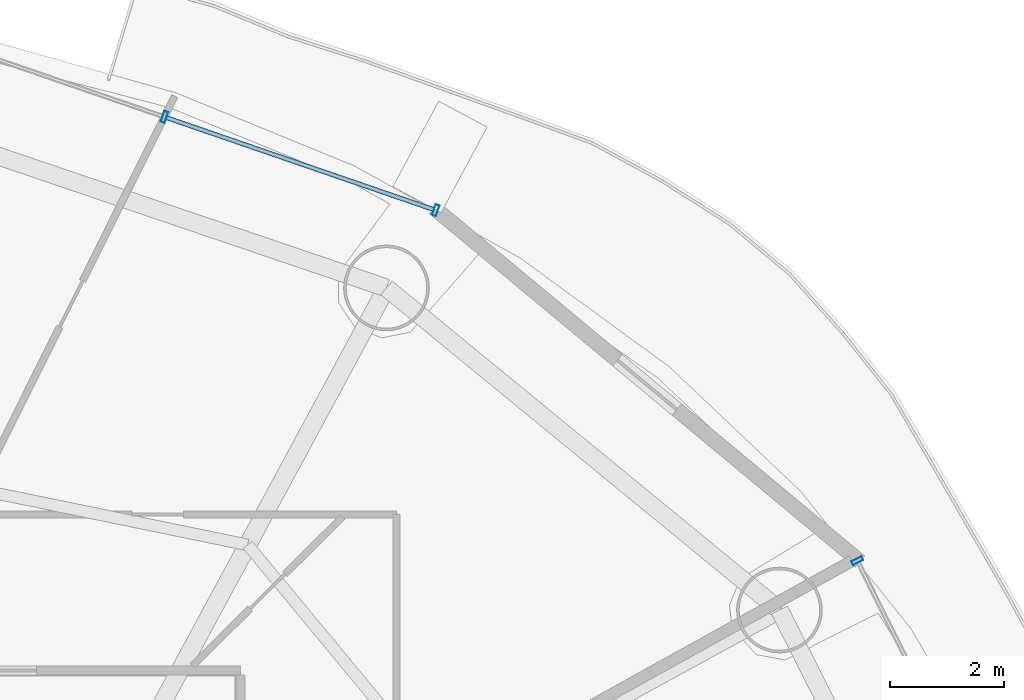
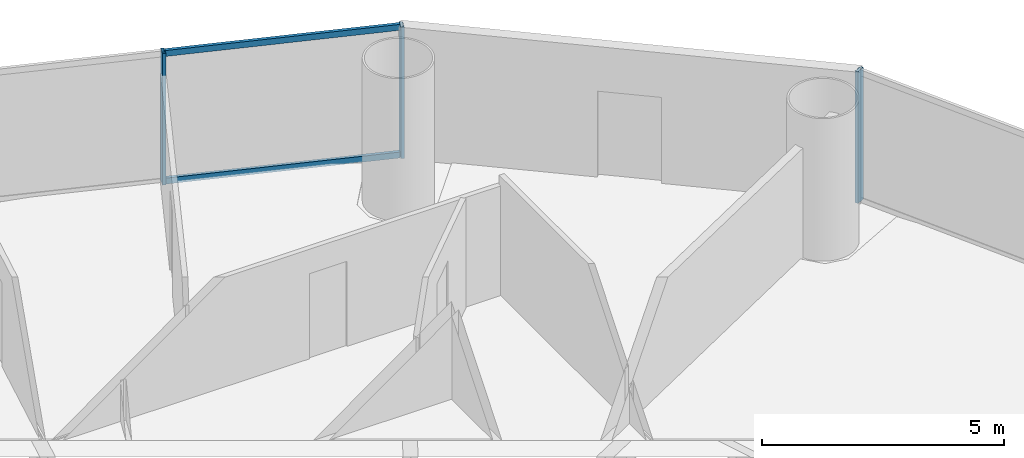
# One storey, part 20 of 29: 5 members, 2 elements without a shape of their own.
"""IFC4 building model written with IfcOpenShell, lengths in metres."""

from ifc_helpers import new_model, si_unit, direction, frame, origin, origin_2d, place, context, subcontext, project, spatial, hollow_rectangle, extrude, source, transform, mapped, material, material_profile, profile_set, type_object, element, aggregate, save


model = new_model("IFC4")

# Units and contexts
model_context = context("Model", 3, precision=1e-05, world=origin(), true_north=direction((-0.2419218956, 0.970295726276)))
body_context = subcontext(model_context, "Body", "Model", "MODEL_VIEW")
ifc_project = project(units=[si_unit("LENGTHUNIT", "METRE"), si_unit("AREAUNIT", "SQUARE_METRE"), si_unit("VOLUMEUNIT", "CUBIC_METRE"), si_unit("PLANEANGLEUNIT", "RADIAN"), si_unit("MASSUNIT", "GRAM", prefix="KILO")], contexts=[model_context])

# Site, building, storey
site_placement = place(None, origin())
site = spatial("IfcSite", under=ifc_project, at=site_placement, CompositionType="ELEMENT")
building_placement = place(site_placement, origin())
building = spatial("IfcBuilding", under=site, at=building_placement, Name="Cobrevalo Terracotta Tower", CompositionType="ELEMENT")
storey_placement = place(building_placement, frame((0.0, 0.0, 94.199951171875)))
storey = spatial("IfcBuildingStorey", under=building, at=storey_placement, Name="L24", CompositionType="ELEMENT", Elevation=94.199951171875)

# Curtain wall, member
ifc_material = material(Name="Anodized aluminium", Category="aluminium")
curtain_wall_type = type_object("IfcCurtainWallType", Name="Lower-tower unitised acoustic low-E curtain wall CW-U1", PredefinedType="NOTDEFINED", material=ifc_material)
curtain_wall_1_placement = place(storey_placement, origin())
curtain_wall_1 = element("IfcCurtainWall", 1, at=curtain_wall_1_placement, inside=storey, type_object=curtain_wall_type, Name="L24 curtain wall CW-L24-S01", PredefinedType="NOTDEFINED")
ifc_material_profile_1 = material_profile(ifc_material, hollow_rectangle(XDim=0.074951171875, YDim=0.199951171875, WallThickness=0.0048828125, at=origin_2d()), Name="CWM 75x200")
ifc_profile_set_1 = profile_set([ifc_material_profile_1], Name="Anodized aluminium")
member_type_1 = type_object("IfcMemberType", Name="Lower/mid tower unitised mullion 75x200", PredefinedType="MULLION", material=ifc_profile_set_1)
shared_shape_1 = source(origin(), body_context, "Body", "SweptSolid", [
    extrude(hollow_rectangle(XDim=0.074951171875, YDim=0.199951171875, WallThickness=0.0048828125, at=origin_2d()), origin(), (0.0, 0.0, 1.0), 3.324951171875),
])
member_1_placement = place(storey_placement, frame((60.110107421875, 39.025634765625, 0.0), z_axis=(0.0, 0.0, 1.0), x_axis=(-0.446260290227, 0.894903208937, 0.0)))
member_1 = element("IfcMember", 2, at=member_1_placement, type_object=member_type_1, Name="CW-L24-S01 vertical mullion 03", PredefinedType="MULLION", context=body_context, shape_type="MappedRepresentation", body=[
    mapped(shared_shape_1, transform((0.0, 0.0, 0.0), scale=1.0)),
])
aggregate(curtain_wall_1, [member_1])

# Curtain wall, members
curtain_wall_2_placement = place(storey_placement, origin())
curtain_wall_2 = element("IfcCurtainWall", 3, at=curtain_wall_2_placement, inside=storey, type_object=curtain_wall_type, Name="L24 curtain wall CW-L24-S03", PredefinedType="NOTDEFINED")
member_2_placement = place(storey_placement, frame((52.7236328125, 45.16357421875, 0.0), z_axis=(0.0, 0.0, 1.0), x_axis=(-0.94559809868, 0.325337110968, 0.0)))
member_2 = element("IfcMember", 4, at=member_2_placement, type_object=member_type_1, Name="CW-L24-S03 vertical mullion 01", PredefinedType="MULLION", context=body_context, shape_type="MappedRepresentation", body=[
    mapped(shared_shape_1, transform((0.0, 0.0, 0.0), scale=1.0)),
])
member_3_placement = place(storey_placement, frame((47.972412109375, 46.79833984375, 0.0), z_axis=(0.0, 0.0, 1.0), x_axis=(-0.94559809868, 0.325337110968, 0.0)))
member_3 = element("IfcMember", 5, at=member_3_placement, type_object=member_type_1, Name="CW-L24-S03 vertical mullion 02", PredefinedType="MULLION", context=body_context, shape_type="MappedRepresentation", body=[
    mapped(shared_shape_1, transform((0.0, 0.0, 0.0), scale=1.0)),
])
ifc_material_profile_2 = material_profile(ifc_material, hollow_rectangle(XDim=0.074951171875, YDim=0.14990234375, WallThickness=0.00439453125, at=origin_2d()), Name="CWT 75x150")
ifc_profile_set_2 = profile_set([ifc_material_profile_2], Name="Anodized aluminium")
member_type_2 = type_object("IfcMemberType", Name="Tower unitised aluminium transom 75x150", PredefinedType="USERDEFINED", material=ifc_profile_set_2)
shared_shape_2 = source(origin(), body_context, "Body", "SweptSolid", [
    extrude(hollow_rectangle(XDim=0.074951171875, YDim=0.14990234375, WallThickness=0.00439453125, at=origin_2d()), origin(), (0.0, 0.0, 1.0), 4.944580078125),
])
member_4_placement = place(storey_placement, frame((52.685791015625, 45.176513671875, 0.050048828125), z_axis=(-0.945597859971, 0.32533780478, 0.0), x_axis=(-0.32533780478, -0.945597859971, 0.0)))
member_4 = element("IfcMember", 6, at=member_4_placement, type_object=member_type_2, Name="CW-L24-S03 transom B01-T1", ObjectType="TRANSOM", PredefinedType="USERDEFINED", context=body_context, shape_type="MappedRepresentation", body=[
    mapped(shared_shape_2, transform((0.0, 0.0, 0.0), scale=1.0)),
])
member_5_placement = place(storey_placement, frame((52.685791015625, 45.176513671875, 3.275146484375), z_axis=(-0.945597859971, 0.32533780478, 0.0), x_axis=(-0.32533780478, -0.945597859971, 0.0)))
member_5 = element("IfcMember", 7, at=member_5_placement, type_object=member_type_2, Name="CW-L24-S03 transom B01-T2", ObjectType="TRANSOM", PredefinedType="USERDEFINED", context=body_context, shape_type="MappedRepresentation", body=[
    mapped(shared_shape_2, transform((0.0, 0.0, 0.0), scale=1.0)),
])
aggregate(curtain_wall_2, [member_2, member_3, member_4, member_5])

save(model, "model.ifc")
